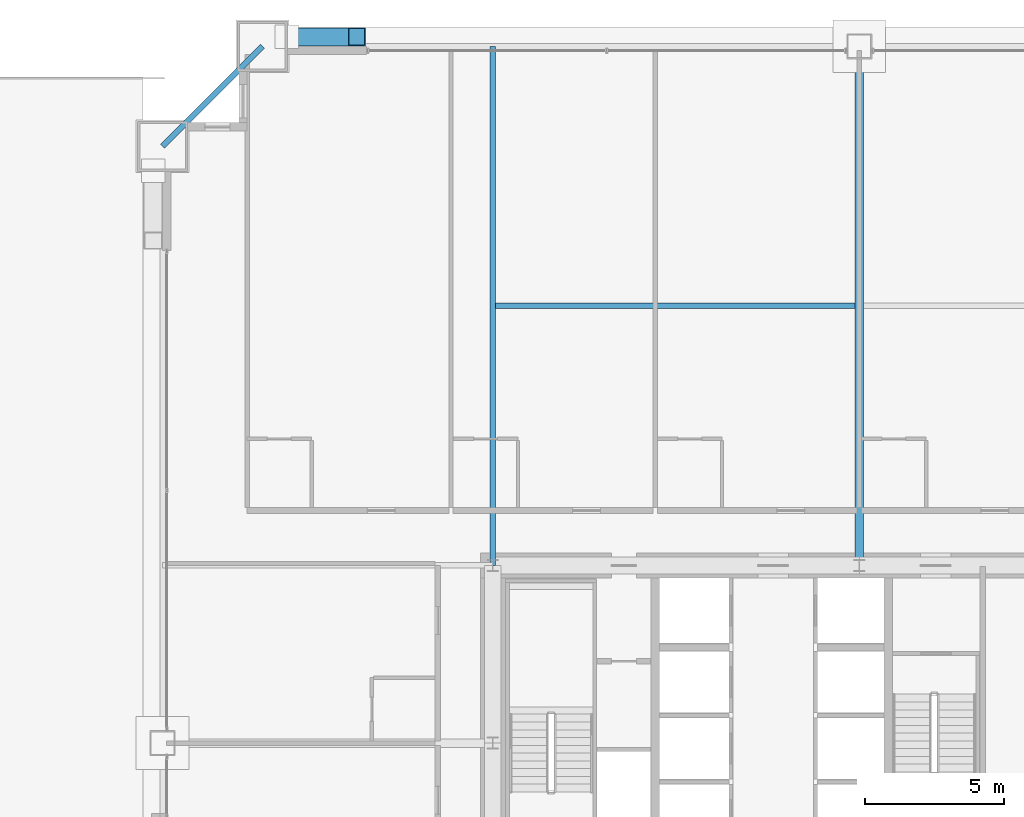
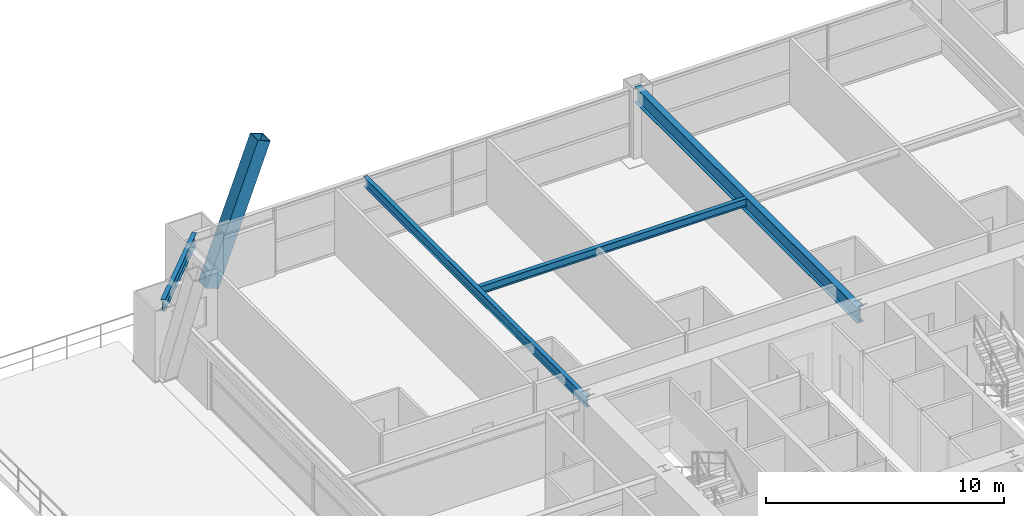
# One storey, part 24 of 45: 4 beams, 1 member.
"""IFC4 building model written with IfcOpenShell, lengths in metres."""

from ifc_helpers import new_model, si_unit, direction, frame, origin, origin_2d, place, context, subcontext, project, spatial, hollow_rectangle, i_section, extrude, source, transform, mapped, material, material_profile, profile_set, type_object, element, save


model = new_model("IFC4")

# Units and contexts
model_context = context("Model", 3, precision=1e-05, world=origin(), true_north=direction((0.0, 1.0)))
body_context = subcontext(model_context, "Body", "Model", "MODEL_VIEW")
ifc_project = project(units=[si_unit("LENGTHUNIT", "METRE"), si_unit("AREAUNIT", "SQUARE_METRE"), si_unit("VOLUMEUNIT", "CUBIC_METRE"), si_unit("PLANEANGLEUNIT", "RADIAN"), si_unit("MASSUNIT", "GRAM", prefix="KILO"), si_unit("THERMODYNAMICTEMPERATUREUNIT", "KELVIN"), si_unit("POWERUNIT", "WATT")], contexts=[model_context])

# Site, building, storey
site_placement = place(None, origin())
site = spatial("IfcSite", under=ifc_project, at=site_placement, CompositionType="ELEMENT")
building_placement = place(site_placement, origin())
building = spatial("IfcBuilding", under=site, at=building_placement, Name="Yuzanri Waterfront Tower", CompositionType="ELEMENT")
storey_placement = place(building_placement, frame((0.0, 0.0, 30.60009765625)))
storey = spatial("IfcBuildingStorey", under=building, at=storey_placement, Name="L07", CompositionType="ELEMENT", Elevation=30.60009765625)

# Beams
ifc_material_1 = material(Name="Steel Q355B", Category="steel")
ifc_material_profile_1 = material_profile(ifc_material_1, i_section(OverallWidth=0.199951171875, OverallDepth=0.60009765625, WebThickness=0.010986328125, FlangeThickness=0.01708984375, at=origin_2d()), Name="HN 600x200x11x17")
ifc_profile_set_1 = profile_set([ifc_material_profile_1], Name="Steel Q355B")
beam_type_1 = type_object("IfcBeamType", Name="Perimeter Spandrel Q355B HN 600x200", PredefinedType="SPANDREL", material=ifc_profile_set_1)
shared_shape_1 = source(origin(), body_context, "Body", "SweptSolid", [
    extrude(i_section(OverallWidth=0.199951171875, OverallDepth=0.60009765625, WebThickness=0.010986328125, FlangeThickness=0.01708984375, at=origin_2d()), origin(), (0.0, 0.0, 1.0), 5.091064453125),
])
beam_1_placement = place(storey_placement, frame((15.5, 50.89990234375, 3.079833984375), z_axis=(-0.707130757816, -0.707082803744, 0.0), x_axis=(0.707082803744, -0.707130757816, 0.0)))
element("IfcBeam", 1, at=beam_1_placement, inside=storey, type_object=beam_type_1, Name="L07 Perimeter Spandrel N1-W3", PredefinedType="SPANDREL", context=body_context, shape_type="MappedRepresentation", body=[
    mapped(shared_shape_1, transform((0.0, 0.0, 0.0), scale=1.0)),
])
ifc_material_2 = material(Name="Steel Q355B", Category="steel")
ifc_material_profile_2 = material_profile(ifc_material_2, i_section(OverallWidth=0.300048828125, OverallDepth=0.800048828125, WebThickness=0.013916015625, FlangeThickness=0.02587890625, at=origin_2d()), Name="HN 800x300x14x26")
ifc_profile_set_2 = profile_set([ifc_material_profile_2], Name="Steel Q355B")
beam_type_2 = type_object("IfcBeamType", Name="Primary Floor Girder Q355B HN 800x300", PredefinedType="BEAM", material=ifc_profile_set_2)
shared_shape_2 = source(origin(), body_context, "Body", "SweptSolid", [
    extrude(i_section(OverallWidth=0.300048828125, OverallDepth=0.800048828125, WebThickness=0.013916015625, FlangeThickness=0.02587890625, at=origin_2d()), origin(), (0.0, 0.0, 1.0), 18.699951171875),
])
beam_2_placement = place(storey_placement, frame((37.0, 32.199951171875, 2.97998046875), z_axis=(0.0, 1.0, 0.0), x_axis=(-1.0, 0.0, 0.0)))
element("IfcBeam", 2, at=beam_2_placement, inside=storey, type_object=beam_type_2, Name="L07 North Grid Girder", PredefinedType="BEAM", context=body_context, shape_type="MappedRepresentation", body=[
    mapped(shared_shape_2, transform((0.0, 0.0, 0.0), scale=1.0)),
])
ifc_material_3 = material(Name="Steel Q355B", Category="steel")
ifc_material_profile_3 = material_profile(ifc_material_3, i_section(OverallWidth=0.199951171875, OverallDepth=0.5, WebThickness=0.010009765625, FlangeThickness=0.01611328125, at=origin_2d()), Name="HN 500x200x10x16")
ifc_profile_set_3 = profile_set([ifc_material_profile_3], Name="Steel Q355B")
beam_type_3 = type_object("IfcBeamType", Name="Secondary Floor Beam Q355B HN 500x200", PredefinedType="BEAM", material=ifc_profile_set_3)
shared_shape_3 = source(origin(), body_context, "Body", "SweptSolid", [
    extrude(i_section(OverallWidth=0.199951171875, OverallDepth=0.5, WebThickness=0.010009765625, FlangeThickness=0.01611328125, at=origin_2d()), origin(), (0.0, 0.0, 1.0), 18.699951171875),
])
beam_3_placement = place(storey_placement, frame((23.800048828125, 32.199951171875, 3.1298828125), z_axis=(0.0, 1.0, 0.0), x_axis=(-1.0, 0.0, 0.0)))
element("IfcBeam", 3, at=beam_3_placement, inside=storey, type_object=beam_type_3, Name="L07 North-West Core Line Beam", PredefinedType="BEAM", context=body_context, shape_type="MappedRepresentation", body=[
    mapped(shared_shape_3, transform((0.0, 0.0, 0.0), scale=1.0)),
])
ifc_material_4 = material(Name="Steel Q355B", Category="steel")
ifc_material_profile_4 = material_profile(ifc_material_4, i_section(OverallWidth=0.199951171875, OverallDepth=0.39990234375, WebThickness=0.008056640625, FlangeThickness=0.012939453125, at=origin_2d()), Name="HN 400x200x8x13")
ifc_profile_set_4 = profile_set([ifc_material_profile_4], Name="Steel Q355B")
beam_type_4 = type_object("IfcBeamType", Name="Floor Joist Q355B HN 400x200", PredefinedType="JOIST", material=ifc_profile_set_4)
shared_shape_4 = source(origin(), body_context, "Body", "SweptSolid", [
    extrude(i_section(OverallWidth=0.199951171875, OverallDepth=0.39990234375, WebThickness=0.008056640625, FlangeThickness=0.012939453125, at=origin_2d()), origin(), (0.0, 0.0, 1.0), 12.9501953125),
])
beam_4_placement = place(storey_placement, frame((23.89990234375, 41.550048828125, 3.179931640625), z_axis=(1.0, 0.0, 0.0), x_axis=(0.0, 1.0, 0.0)))
element("IfcBeam", 4, at=beam_4_placement, inside=storey, type_object=beam_type_4, Name="L07 North Bay Joist W", PredefinedType="JOIST", context=body_context, shape_type="MappedRepresentation", body=[
    mapped(shared_shape_4, transform((0.0, 0.0, 0.0), scale=1.0)),
])

# Member
ifc_material_5 = material(Name="Steel Q420GJC", Category="steel")
ifc_material_profile_5 = material_profile(ifc_material_5, hollow_rectangle(XDim=0.64990234375, YDim=0.64990234375, WallThickness=0.028076171875, at=origin_2d()), Name="RHS 650x650x28")
ifc_profile_set_5 = profile_set([ifc_material_profile_5], Name="Steel Q420GJC")
member_type = type_object("IfcMemberType", Name="Mega Brace Lower Q420GJC RHS 650x650x28", PredefinedType="BRACE", material=ifc_profile_set_5)
shared_shape_5 = source(origin(), body_context, "Body", "SweptSolid", [
    extrude(hollow_rectangle(XDim=0.64990234375, YDim=0.64990234375, WallThickness=0.028076171875, at=origin_2d()), origin(), (0.0, 0.0, 1.0), 7.158203125),
])
member_placement = place(storey_placement, frame((16.3798828125, 51.239990234375, 0.179931640625), z_axis=(0.352046480343, 0.0, 0.935982518896), x_axis=(0.0, 1.0, 0.0)))
element("IfcMember", 5, at=member_placement, inside=storey, type_object=member_type, Name="L07-L08 Perimeter Mega-Brace N-L", PredefinedType="BRACE", context=body_context, shape_type="MappedRepresentation", body=[
    mapped(shared_shape_5, transform((0.0, 0.0, 0.0), scale=1.0)),
])

save(model, "model.ifc")
